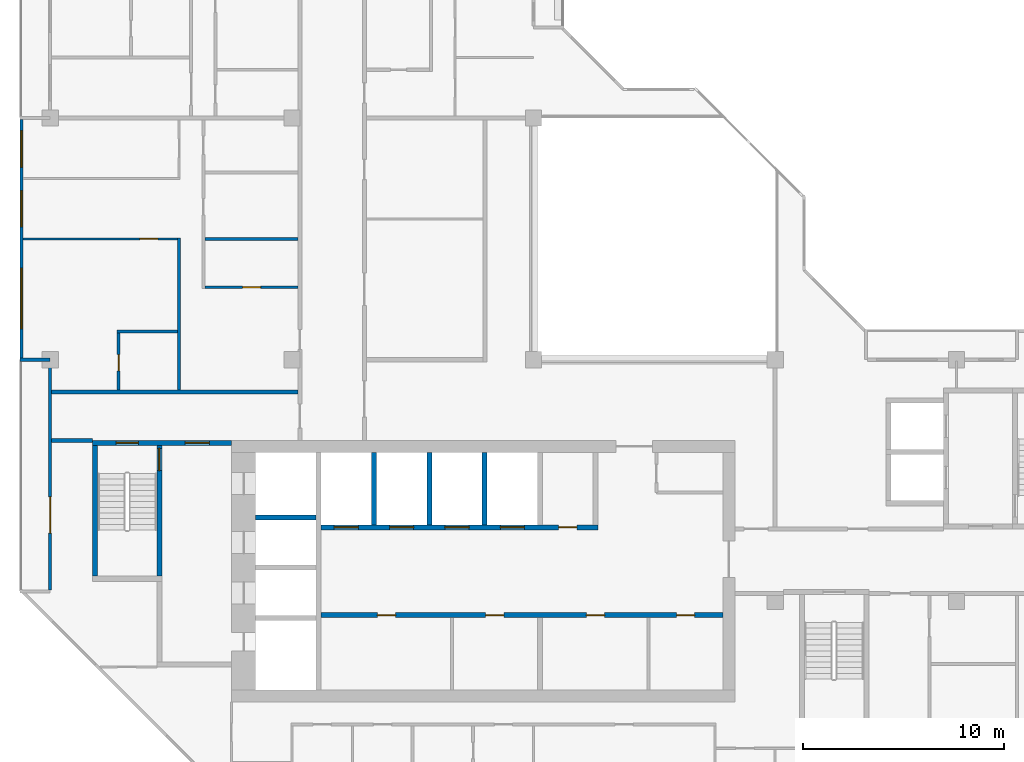
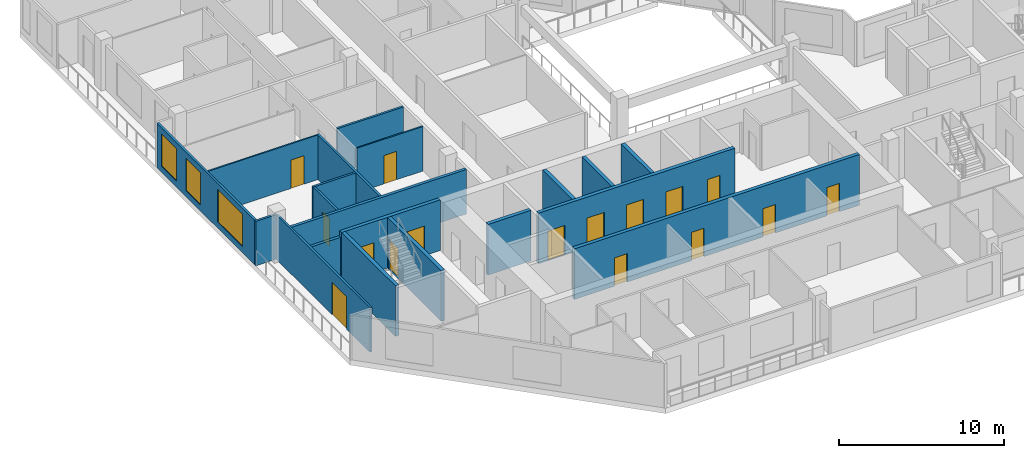
# One storey, part 5 of 13: 20 walls, 16 doors, 3 windows, 19 openings.
"""IFC4 building model written with IfcOpenShell, lengths in metres."""

import ifcopenshell
import ifcopenshell.guid

model = None  # the IFC model being written
_history = None  # IfcOwnerHistory: only IFC2X3 demands one
_inside = {}  # id of a spatial element -> (the spatial element, [elements in it])
_under = {}  # id of a project, library or spatial element -> (it, [spatial elements below it])
_declared = {}  # id of a project -> (the project, [libraries it declares])
_typed = {}  # id of a type object -> (the type object, [elements of that type])
_made_of = {}  # id of a material, layer set ... -> (it, [elements and type objects made of it])


def new_model(schema):
    """Start an empty IFC model of exactly this schema.

    Asked for "IFC4X3", IfcOpenShell would pick the latest addendum, in which some entities
    have other attributes; the version numbers below select the first issue.
    IFC2X3 requires an IfcOwnerHistory on every rooted entity: one is made here for all.
    """
    global model, _history
    if schema == "IFC4X3":
        model = ifcopenshell.file(schema_version=(4, 3, 0, 0))
    else:
        model = ifcopenshell.file(schema=schema)
    _inside.clear()
    _under.clear()
    _declared.clear()
    _typed.clear()
    _made_of.clear()
    _history = None
    if model.schema == "IFC2X3":
        org = make("IfcOrganization", Name="unknown")
        user = make(
            "IfcPersonAndOrganization",
            ThePerson=make("IfcPerson", FamilyName="unknown"),
            TheOrganization=org,
        )
        app = make(
            "IfcApplication",
            ApplicationDeveloper=org,
            Version="unknown",
            ApplicationFullName="unknown",
            ApplicationIdentifier="unknown",
        )
        _history = make(
            "IfcOwnerHistory",
            OwningUser=user,
            OwningApplication=app,
            ChangeAction="ADDED",
            CreationDate=0,
        )
    return model


def make(cls, **values):
    """One entity of the class cls with the attributes given. An attribute that is None is left unset."""
    return model.create_entity(
        cls, **{name: value for name, value in values.items() if value is not None}
    )


def rooted(cls, **values):
    """An entity with a GlobalId (a new one), such as an element, a storey or a relation."""
    return make(cls, GlobalId=ifcopenshell.guid.new(), OwnerHistory=_history, **values)


def si_unit(unit_type, name, prefix=None):
    """IfcSIUnit, for example si_unit("LENGTHUNIT", "METRE", prefix="MILLI")."""
    return make("IfcSIUnit", UnitType=unit_type, Prefix=prefix, Name=name)


def assignment(units):
    """IfcUnitAssignment: the units of a project."""
    return None if units is None else make("IfcUnitAssignment", Units=units)


def point(xyz):
    """IfcCartesianPoint."""
    return None if xyz is None else make("IfcCartesianPoint", Coordinates=xyz)


def direction(xyz):
    """IfcDirection."""
    return None if xyz is None else make("IfcDirection", DirectionRatios=xyz)


def frame(location, z_axis=None, x_axis=None):
    """IfcAxis2Placement3D, a coordinate frame: its origin and axes. An axis left out is left unset."""
    return make(
        "IfcAxis2Placement3D",
        Location=point(location),
        Axis=direction(z_axis),
        RefDirection=direction(x_axis),
    )


def frame_2d(location, x_axis=None):
    """IfcAxis2Placement2D, a coordinate frame in the plane: its origin and x axis."""
    return make(
        "IfcAxis2Placement2D", Location=point(location), RefDirection=direction(x_axis)
    )


def origin():
    """The frame at (0, 0, 0) with its axes left unset."""
    return frame((0.0, 0.0, 0.0))


def place(relative_to, where):
    """IfcLocalPlacement: puts the frame where relative to a parent placement (None: the world)."""
    return make(
        "IfcLocalPlacement", PlacementRelTo=relative_to, RelativePlacement=where
    )


def context(
    kind, dimensions, precision=None, world=None, true_north=None, identifier=None
):
    """IfcGeometricRepresentationContext, for example the 3D "Model" context."""
    return make(
        "IfcGeometricRepresentationContext",
        ContextIdentifier=identifier,
        ContextType=kind,
        CoordinateSpaceDimension=dimensions,
        Precision=precision,
        WorldCoordinateSystem=world,
        TrueNorth=true_north,
    )


def subcontext(parent, identifier, kind, view, scale=None):
    """IfcGeometricRepresentationSubContext, for example "Body" below "Model"."""
    return make(
        "IfcGeometricRepresentationSubContext",
        ContextIdentifier=identifier,
        ContextType=kind,
        ParentContext=parent,
        TargetScale=scale,
        TargetView=view,
    )


def project(units=None, contexts=None):
    """IfcProject with its units and contexts."""
    return rooted(
        "IfcProject",
        Name="project",
        RepresentationContexts=contexts,
        UnitsInContext=assignment(units),
    )


def spatial(cls, under=None, at=None, **own):
    """A site, building, storey or space (cls), placed at a placement, below another one or the project."""
    s = rooted(cls, ObjectPlacement=at, **own)
    if under is not None:
        _under.setdefault(under.id(), (under, []))[1].append(s)
    return s


def profile(cls, at=None, kind="AREA", **sizes):
    """A parametric profile (cls). Its sizes go by their IFC names, for example OverallWidth=200.0."""
    return make(cls, ProfileType=kind, Position=at, **sizes)


def rectangle(**sizes):
    """IfcRectangleProfileDef."""
    return profile("IfcRectangleProfileDef", **sizes)


def extrude(swept, where, along, depth):
    """IfcExtrudedAreaSolid: the profile swept, set in the frame where, extruded along a direction by depth."""
    return make(
        "IfcExtrudedAreaSolid",
        SweptArea=swept,
        Position=where,
        ExtrudedDirection=direction(along),
        Depth=depth,
    )


def shape(context_of_items, identifier, shape_type, items):
    """IfcShapeRepresentation: the items that make up one representation, for example the "Body"."""
    return make(
        "IfcShapeRepresentation",
        ContextOfItems=context_of_items,
        RepresentationIdentifier=identifier,
        RepresentationType=shape_type,
        Items=items,
    )


def material(Name=None, Category=None):
    """IfcMaterial."""
    return make("IfcMaterial", Name=Name, Category=Category)


def layer(
    of_material, thickness, ventilated=None, Name=None, Category=None, Priority=None
):
    """IfcMaterialLayer: one layer of a wall or slab, of a material (None: an air gap)."""
    return make(
        "IfcMaterialLayer",
        Material=of_material,
        LayerThickness=thickness,
        IsVentilated=ventilated,
        Name=Name,
        Category=Category,
        Priority=Priority,
    )


def layer_set(layers, Name=None):
    """IfcMaterialLayerSet."""
    return make("IfcMaterialLayerSet", MaterialLayers=layers, LayerSetName=Name)


def made_of(thing, what):
    """Note that an element or type object is made of a material, layer set ...; save() writes the relation."""
    if what is not None:
        _made_of.setdefault(what.id(), (what, []))[1].append(thing)
    return thing


def type_object(cls, material=None, **own):
    """A type object (cls), such as IfcWallType, which elements share."""
    return made_of(rooted(cls, **own), material)


def element(
    cls,
    number,
    at=None,
    inside=None,
    cuts=None,
    type_object=None,
    material=None,
    context=None,
    identifier="Body",
    shape_type=None,
    held_by="IfcProductDefinitionShape",
    body=None,
    shapes=None,
    **own,
):
    """One element of the class cls, such as IfcWall. Its Tag is "e" and its number.

    at: its placement. inside: the storey or other place that contains it. cuts: it is an
    opening in that element (IfcRelVoidsElement). A single representation is given by context,
    identifier, shape_type and body (its items); several are given by shapes. held_by: the class
    of the entity that holds the representations. save() writes the other relations.
    """
    e = rooted(cls, Tag="e%d" % number, ObjectPlacement=at, **own)
    if body is not None:
        shapes = [shape(context, identifier, shape_type, body)]
    if shapes is not None:
        e.Representation = make(held_by, Representations=shapes)
    if inside is not None:
        _inside.setdefault(inside.id(), (inside, []))[1].append(e)
    if cuts is not None:
        rooted(
            "IfcRelVoidsElement", RelatingBuildingElement=cuts, RelatedOpeningElement=e
        )
    if type_object is not None:
        _typed.setdefault(type_object.id(), (type_object, []))[1].append(e)
    return made_of(e, material)


def fill(opening, filler):
    """IfcRelFillsElement: the door or window that sits in an opening."""
    return rooted(
        "IfcRelFillsElement",
        RelatingOpeningElement=opening,
        RelatedBuildingElement=filler,
    )


def aggregate(whole, parts):
    """IfcRelAggregates: a whole, such as a stair, and the parts it consists of."""
    return rooted("IfcRelAggregates", RelatingObject=whole, RelatedObjects=parts)


def save(model, path):
    """Write the relations noted so far, then the file.

    IfcRelAggregates (storeys below a building ...), IfcRelContainedInSpatialStructure (elements
    in a storey), IfcRelDefinesByType, IfcRelAssociatesMaterial and IfcRelDeclares: one each for
    every whole, place, type object, material and project.
    """
    for whole, parts in _under.values():
        aggregate(whole, parts)
    for where, things in _inside.values():
        rooted(
            "IfcRelContainedInSpatialStructure",
            RelatedElements=things,
            RelatingStructure=where,
        )
    for kind, things in _typed.values():
        rooted("IfcRelDefinesByType", RelatedObjects=things, RelatingType=kind)
    for what, things in _made_of.values():
        rooted("IfcRelAssociatesMaterial", RelatedObjects=things, RelatingMaterial=what)
    for by, libraries in _declared.values():
        rooted("IfcRelDeclares", RelatingContext=by, RelatedDefinitions=libraries)
    model.write(path)


model = new_model("IFC4")

# Units and contexts
model_context = context("Model", 3, precision=1e-05, world=origin(), true_north=direction((0.0, 1.0)))
body_context = subcontext(model_context, "Body", "Model", "MODEL_VIEW")
ifc_project = project(units=[si_unit("LENGTHUNIT", "METRE"), si_unit("AREAUNIT", "SQUARE_METRE"), si_unit("VOLUMEUNIT", "CUBIC_METRE"), si_unit("PLANEANGLEUNIT", "RADIAN"), si_unit("MASSUNIT", "GRAM", prefix="KILO")], contexts=[model_context])

# Site, building, storey
site_placement = place(None, origin())
site = spatial("IfcSite", under=ifc_project, at=site_placement, CompositionType="ELEMENT")
building_placement = place(site_placement, origin())
building = spatial("IfcBuilding", under=site, at=building_placement, Name="Chenar Terraces", CompositionType="ELEMENT")
storey_placement = place(building_placement, frame((0.0, 0.0, 318.39990234375)))
storey = spatial("IfcBuildingStorey", under=building, at=storey_placement, Name="L75", CompositionType="ELEMENT", Elevation=318.39990234375)

# Wall, openings, doors
ifc_material_1 = material(Name="Concrete C50/60", Category="concrete")
ifc_layer_1 = layer(ifc_material_1, 0.25)
ifc_layer_set_1 = layer_set([ifc_layer_1], Name="Concrete C50/60")
wall_type_1 = type_object("IfcWallType", Name="Core wall 250 Concrete C50/60", PredefinedType="SHEAR", material=ifc_layer_set_1)
wall_1_placement = place(storey_placement, frame((13.449951171875, 11.324951171875, 0.0), z_axis=(0.0, 0.0, 1.0), x_axis=(1.0, 0.0, 0.0)))
wall_1 = element("IfcWall", 1, at=wall_1_placement, inside=storey, type_object=wall_type_1, Name="Core wall SF L75", PredefinedType="SHEAR", context=body_context, shape_type="SweptSolid", body=[
    extrude(rectangle(XDim=19.949951171875, YDim=0.25, at=frame_2d((9.97509765625, 0.0))), origin(), (0.0, 0.0, 1.0), 3.75),
])
opening_1_placement = place(wall_1_placement, frame((2.800048828125, 0.0, 0.0)))
opening_1 = element("IfcOpeningElement", 2, at=opening_1_placement, cuts=wall_1, Name="Opening DL75-C12", PredefinedType="OPENING", context=body_context, shape_type="SweptSolid", body=[
    extrude(rectangle(XDim=0.89990234375, YDim=2.10009765625, at=frame_2d((0.449951171875, 1.050048828125))), frame((0.0, 0.135009765625, 0.0), z_axis=(0.0, -1.0, 0.0), x_axis=(1.0, 0.0, 0.0)), (0.0, 0.0, 1.0), 0.27001953125),
])
opening_2_placement = place(wall_1_placement, frame((8.175048828125, 0.0, 0.0)))
opening_2 = element("IfcOpeningElement", 3, at=opening_2_placement, cuts=wall_1, Name="Opening DL75-C13", PredefinedType="OPENING", context=body_context, shape_type="SweptSolid", body=[
    extrude(rectangle(XDim=0.89990234375, YDim=2.10009765625, at=frame_2d((0.449951171875, 1.050048828125))), frame((0.0, 0.135009765625, 0.0), z_axis=(0.0, -1.0, 0.0), x_axis=(1.0, 0.0, 0.0)), (0.0, 0.0, 1.0), 0.27001953125),
])
opening_3_placement = place(wall_1_placement, frame((13.175048828125, 0.0, 0.0)))
opening_3 = element("IfcOpeningElement", 4, at=opening_3_placement, cuts=wall_1, Name="Opening DL75-C14", PredefinedType="OPENING", context=body_context, shape_type="SweptSolid", body=[
    extrude(rectangle(XDim=0.89990234375, YDim=2.10009765625, at=frame_2d((0.449951171875, 1.050048828125))), frame((0.0, 0.135009765625, 0.0), z_axis=(0.0, -1.0, 0.0), x_axis=(1.0, 0.0, 0.0)), (0.0, 0.0, 1.0), 0.27001953125),
])
opening_4_placement = place(wall_1_placement, frame((17.64990234375, 0.0, 0.0)))
opening_4 = element("IfcOpeningElement", 5, at=opening_4_placement, cuts=wall_1, Name="Opening DL75-C15", PredefinedType="OPENING", context=body_context, shape_type="SweptSolid", body=[
    extrude(rectangle(XDim=0.89990234375, YDim=2.10009765625, at=frame_2d((0.449951171875, 1.050048828125))), frame((0.0, 0.135009765625, 0.0), z_axis=(0.0, -1.0, 0.0), x_axis=(1.0, 0.0, 0.0)), (0.0, 0.0, 1.0), 0.27001953125),
])
ifc_material_2 = material(Name="Steel-framed fire-resisting door leaf", Category="steel")
door_type_1 = type_object("IfcDoorType", Name="Riser fire door FD60 900 x 2100", OperationType="SINGLE_SWING_LEFT", PredefinedType="DOOR", material=ifc_material_2)
door_1_placement = place(opening_1_placement, frame((0.89990234375, 0.0, 0.0), z_axis=(0.0, 0.0, 1.0), x_axis=(-1.0, 0.0, 0.0)))
door_1 = element("IfcDoor", 6, at=door_1_placement, inside=storey, type_object=door_type_1, Name="Core room door DL75-C12", OperationType="SINGLE_SWING_LEFT", OverallHeight=2.10009765625, OverallWidth=0.89990234375, PredefinedType="DOOR", context=body_context, shape_type="SweptSolid", body=[
    extrude(rectangle(XDim=0.89990234375, YDim=2.10009765625, at=frame_2d((0.449951171875, 1.050048828125))), frame((0.0, 0.02490234375, 0.0), z_axis=(0.0, -1.0, 0.0), x_axis=(1.0, 0.0, 0.0)), (0.0, 0.0, 1.0), 0.050048828125),
])
fill(opening_1, door_1)
door_2_placement = place(opening_2_placement, frame((0.89990234375, 0.0, 0.0), z_axis=(0.0, 0.0, 1.0), x_axis=(-1.0, 0.0, 0.0)))
door_2 = element("IfcDoor", 7, at=door_2_placement, inside=storey, type_object=door_type_1, Name="Core room door DL75-C13", OperationType="SINGLE_SWING_LEFT", OverallHeight=2.10009765625, OverallWidth=0.89990234375, PredefinedType="DOOR", context=body_context, shape_type="SweptSolid", body=[
    extrude(rectangle(XDim=0.89990234375, YDim=2.10009765625, at=frame_2d((0.449951171875, 1.050048828125))), frame((0.0, 0.02490234375, 0.0), z_axis=(0.0, -1.0, 0.0), x_axis=(1.0, 0.0, 0.0)), (0.0, 0.0, 1.0), 0.050048828125),
])
fill(opening_2, door_2)
door_3_placement = place(opening_3_placement, frame((0.89990234375, 0.0, 0.0), z_axis=(0.0, 0.0, 1.0), x_axis=(-1.0, 0.0, 0.0)))
door_3 = element("IfcDoor", 8, at=door_3_placement, inside=storey, type_object=door_type_1, Name="Core room door DL75-C14", OperationType="SINGLE_SWING_LEFT", OverallHeight=2.10009765625, OverallWidth=0.89990234375, PredefinedType="DOOR", context=body_context, shape_type="SweptSolid", body=[
    extrude(rectangle(XDim=0.89990234375, YDim=2.10009765625, at=frame_2d((0.449951171875, 1.050048828125))), frame((0.0, 0.02490234375, 0.0), z_axis=(0.0, -1.0, 0.0), x_axis=(1.0, 0.0, 0.0)), (0.0, 0.0, 1.0), 0.050048828125),
])
fill(opening_3, door_3)
door_4_placement = place(opening_4_placement, frame((0.89990234375, 0.0, 0.0), z_axis=(0.0, 0.0, 1.0), x_axis=(-1.0, 0.0, 0.0)))
door_4 = element("IfcDoor", 9, at=door_4_placement, inside=storey, type_object=door_type_1, Name="Core room door DL75-C15", OperationType="SINGLE_SWING_RIGHT", OverallHeight=2.10009765625, OverallWidth=0.89990234375, PredefinedType="DOOR", context=body_context, shape_type="SweptSolid", body=[
    extrude(rectangle(XDim=0.89990234375, YDim=2.10009765625, at=frame_2d((0.449951171875, 1.050048828125))), frame((0.0, 0.02490234375, 0.0), z_axis=(0.0, -1.0, 0.0), x_axis=(1.0, 0.0, 0.0)), (0.0, 0.0, 1.0), 0.050048828125),
])
fill(opening_4, door_4)

wall_2_placement = place(storey_placement, frame((13.449951171875, 15.675048828125, 0.0), z_axis=(0.0, 0.0, 1.0), x_axis=(1.0, 0.0, 0.0)))
wall_2 = element("IfcWall", 10, at=wall_2_placement, inside=storey, type_object=wall_type_1, Name="Core wall NF L75", PredefinedType="SHEAR", context=body_context, shape_type="SweptSolid", body=[
    extrude(rectangle(XDim=13.75, YDim=0.25, at=frame_2d((6.875, 0.0))), origin(), (0.0, 0.0, 1.0), 3.75),
])
opening_5_placement = place(wall_2_placement, frame((0.64990234375, 0.0, 0.0)))
opening_5 = element("IfcOpeningElement", 11, at=opening_5_placement, cuts=wall_2, Name="Opening DL75-LD1", PredefinedType="OPENING", context=body_context, shape_type="SweptSolid", body=[
    extrude(rectangle(XDim=1.199951171875, YDim=2.199951171875, at=frame_2d((0.60009765625, 1.10009765625))), frame((0.0, 0.135009765625, 0.0), z_axis=(0.0, -1.0, 0.0), x_axis=(1.0, 0.0, 0.0)), (0.0, 0.0, 1.0), 0.27001953125),
])
opening_6_placement = place(wall_2_placement, frame((3.39990234375, 0.0, 0.0)))
opening_6 = element("IfcOpeningElement", 12, at=opening_6_placement, cuts=wall_2, Name="Opening DL75-LD2", PredefinedType="OPENING", context=body_context, shape_type="SweptSolid", body=[
    extrude(rectangle(XDim=1.199951171875, YDim=2.199951171875, at=frame_2d((0.60009765625, 1.10009765625))), frame((0.0, 0.135009765625, 0.0), z_axis=(0.0, -1.0, 0.0), x_axis=(1.0, 0.0, 0.0)), (0.0, 0.0, 1.0), 0.27001953125),
])
opening_7_placement = place(wall_2_placement, frame((6.14990234375, 0.0, 0.0)))
opening_7 = element("IfcOpeningElement", 13, at=opening_7_placement, cuts=wall_2, Name="Opening DL75-LD3", PredefinedType="OPENING", context=body_context, shape_type="SweptSolid", body=[
    extrude(rectangle(XDim=1.199951171875, YDim=2.199951171875, at=frame_2d((0.60009765625, 1.10009765625))), frame((0.0, 0.135009765625, 0.0), z_axis=(0.0, -1.0, 0.0), x_axis=(1.0, 0.0, 0.0)), (0.0, 0.0, 1.0), 0.27001953125),
])
opening_8_placement = place(wall_2_placement, frame((8.89990234375, 0.0, 0.0)))
opening_8 = element("IfcOpeningElement", 14, at=opening_8_placement, cuts=wall_2, Name="Opening DL75-LD4", PredefinedType="OPENING", context=body_context, shape_type="SweptSolid", body=[
    extrude(rectangle(XDim=1.199951171875, YDim=2.199951171875, at=frame_2d((0.60009765625, 1.10009765625))), frame((0.0, 0.135009765625, 0.0), z_axis=(0.0, -1.0, 0.0), x_axis=(1.0, 0.0, 0.0)), (0.0, 0.0, 1.0), 0.27001953125),
])
opening_9_placement = place(wall_2_placement, frame((11.800048828125, 0.0, 0.0)))
opening_9 = element("IfcOpeningElement", 15, at=opening_9_placement, cuts=wall_2, Name="Opening DL75-C16", PredefinedType="OPENING", context=body_context, shape_type="SweptSolid", body=[
    extrude(rectangle(XDim=0.89990234375, YDim=2.10009765625, at=frame_2d((0.449951171875, 1.050048828125))), frame((0.0, 0.135009765625, 0.0), z_axis=(0.0, -1.0, 0.0), x_axis=(1.0, 0.0, 0.0)), (0.0, 0.0, 1.0), 0.27001953125),
])
ifc_material_3 = material(Name="Stainless steel", Category="steel")
door_type_2 = type_object("IfcDoorType", Name="Lift landing door 1200 x 2200 sliding", OperationType="DOUBLE_DOOR_SLIDING", PredefinedType="DOOR", material=ifc_material_3)
door_5_placement = place(opening_5_placement, origin())
door_5 = element("IfcDoor", 16, at=door_5_placement, inside=storey, type_object=door_type_2, Name="Landing door H1", OperationType="DOUBLE_DOOR_SLIDING", OverallHeight=2.199951171875, OverallWidth=1.199951171875, PredefinedType="DOOR", context=body_context, shape_type="SweptSolid", body=[
    extrude(rectangle(XDim=1.199951171875, YDim=2.199951171875, at=frame_2d((0.60009765625, 1.10009765625))), frame((0.0, 0.02490234375, 0.0), z_axis=(0.0, -1.0, 0.0), x_axis=(1.0, 0.0, 0.0)), (0.0, 0.0, 1.0), 0.050048828125),
])
fill(opening_5, door_5)
door_6_placement = place(opening_6_placement, origin())
door_6 = element("IfcDoor", 17, at=door_6_placement, inside=storey, type_object=door_type_2, Name="Landing door H2", OperationType="DOUBLE_DOOR_SLIDING", OverallHeight=2.199951171875, OverallWidth=1.199951171875, PredefinedType="DOOR", context=body_context, shape_type="SweptSolid", body=[
    extrude(rectangle(XDim=1.199951171875, YDim=2.199951171875, at=frame_2d((0.60009765625, 1.10009765625))), frame((0.0, 0.02490234375, 0.0), z_axis=(0.0, -1.0, 0.0), x_axis=(1.0, 0.0, 0.0)), (0.0, 0.0, 1.0), 0.050048828125),
])
fill(opening_6, door_6)
door_7_placement = place(opening_7_placement, origin())
door_7 = element("IfcDoor", 18, at=door_7_placement, inside=storey, type_object=door_type_2, Name="Landing door H3", OperationType="DOUBLE_DOOR_SLIDING", OverallHeight=2.199951171875, OverallWidth=1.199951171875, PredefinedType="DOOR", context=body_context, shape_type="SweptSolid", body=[
    extrude(rectangle(XDim=1.199951171875, YDim=2.199951171875, at=frame_2d((0.60009765625, 1.10009765625))), frame((0.0, 0.02490234375, 0.0), z_axis=(0.0, -1.0, 0.0), x_axis=(1.0, 0.0, 0.0)), (0.0, 0.0, 1.0), 0.050048828125),
])
fill(opening_7, door_7)
door_8_placement = place(opening_8_placement, origin())
door_8 = element("IfcDoor", 19, at=door_8_placement, inside=storey, type_object=door_type_2, Name="Landing door H4", OperationType="DOUBLE_DOOR_SLIDING", OverallHeight=2.199951171875, OverallWidth=1.199951171875, PredefinedType="DOOR", context=body_context, shape_type="SweptSolid", body=[
    extrude(rectangle(XDim=1.199951171875, YDim=2.199951171875, at=frame_2d((0.60009765625, 1.10009765625))), frame((0.0, 0.02490234375, 0.0), z_axis=(0.0, -1.0, 0.0), x_axis=(1.0, 0.0, 0.0)), (0.0, 0.0, 1.0), 0.050048828125),
])
fill(opening_8, door_8)
door_9_placement = place(opening_9_placement, origin())
door_9 = element("IfcDoor", 20, at=door_9_placement, inside=storey, type_object=door_type_1, Name="Core room door DL75-C16", OperationType="SINGLE_SWING_RIGHT", OverallHeight=2.10009765625, OverallWidth=0.89990234375, PredefinedType="DOOR", context=body_context, shape_type="SweptSolid", body=[
    extrude(rectangle(XDim=0.89990234375, YDim=2.10009765625, at=frame_2d((0.449951171875, 1.050048828125))), frame((0.0, 0.02490234375, 0.0), z_axis=(0.0, -1.0, 0.0), x_axis=(1.0, 0.0, 0.0)), (0.0, 0.0, 1.0), 0.050048828125),
])
fill(opening_9, door_9)

# Walls
wall_3_placement = place(storey_placement, frame((10.199951171875, 16.175048828125, 0.0), z_axis=(0.0, 0.0, 1.0), x_axis=(1.0, 0.0, 0.0)))
element("IfcWall", 21, at=wall_3_placement, inside=storey, type_object=wall_type_1, Name="Core wall HW2 L75", PredefinedType="SHEAR", context=body_context, shape_type="SweptSolid", body=[
    extrude(rectangle(XDim=3.0, YDim=0.25, at=frame_2d((1.5, 0.0))), origin(), (0.0, 0.0, 1.0), 3.75),
])
for number, where, z_axis, x_axis, name in (
    (22, (16.074951171875, 15.800048828125, 0.0), (0.0, 0.0, 1.0), (0.0, 1.0, 0.0), "Core wall NS0 L75"),
    (23, (18.824951171875, 15.800048828125, 0.0), (0.0, 0.0, 1.0), (0.0, 1.0, 0.0), "Core wall NS1 L75"),
    (24, (21.574951171875, 15.800048828125, 0.0), (0.0, 0.0, 1.0), (0.0, 1.0, 0.0), "Core wall NS2 L75"),
):
    element("IfcWall", number, at=place(storey_placement, frame(where, z_axis=z_axis, x_axis=x_axis)), inside=storey, type_object=wall_type_1, Name=name, PredefinedType="SHEAR", context=body_context, shape_type="SweptSolid", body=[
        extrude(rectangle(XDim=3.599853515625, YDim=0.25, at=frame_2d((1.7998046875, 0.0))), origin(), (0.0, 0.0, 1.0), 3.75),
    ])

# Wall, openings, doors
wall_4_placement = place(storey_placement, frame((2.10009765625, 19.875, 0.0), z_axis=(0.0, 0.0, 1.0), x_axis=(1.0, 0.0, 0.0)))
wall_4 = element("IfcWall", 25, at=wall_4_placement, inside=storey, type_object=wall_type_1, Name="Core wall A_N L75", PredefinedType="SHEAR", context=body_context, shape_type="SweptSolid", body=[
    extrude(rectangle(XDim=6.89990234375, YDim=0.25, at=frame_2d((3.449951171875, 0.0))), origin(), (0.0, 0.0, 1.0), 3.75),
])
opening_10_placement = place(wall_4_placement, frame((1.175048828125, 0.0, 0.0)))
opening_10 = element("IfcOpeningElement", 26, at=opening_10_placement, cuts=wall_4, Name="Opening DL75-C5", PredefinedType="OPENING", context=body_context, shape_type="SweptSolid", body=[
    extrude(rectangle(XDim=1.10009765625, YDim=2.199951171875, at=frame_2d((0.550048828125, 1.10009765625))), frame((0.0, 0.135009765625, 0.0), z_axis=(0.0, -1.0, 0.0), x_axis=(1.0, 0.0, 0.0)), (0.0, 0.0, 1.0), 0.27001953125),
])
opening_11_placement = place(wall_4_placement, frame((4.60009765625, 0.0, 0.0)))
opening_11 = element("IfcOpeningElement", 27, at=opening_11_placement, cuts=wall_4, Name="Opening DL75-C6", PredefinedType="OPENING", context=body_context, shape_type="SweptSolid", body=[
    extrude(rectangle(XDim=1.199951171875, YDim=2.199951171875, at=frame_2d((0.60009765625, 1.10009765625))), frame((0.0, 0.135009765625, 0.0), z_axis=(0.0, -1.0, 0.0), x_axis=(1.0, 0.0, 0.0)), (0.0, 0.0, 1.0), 0.27001953125),
])
ifc_material_4 = material(Name="Steel-framed fire-resisting door leaf", Category="steel")
door_type_3 = type_object("IfcDoorType", Name="Lobby fire door FD60 1200 x 2200", OperationType="SINGLE_SWING_LEFT", PredefinedType="DOOR", material=ifc_material_4)
door_10_placement = place(opening_11_placement, frame((1.199951171875, 0.0, 0.0), z_axis=(0.0, 0.0, 1.0), x_axis=(-1.0, 0.0, 0.0)))
door_10 = element("IfcDoor", 28, at=door_10_placement, inside=storey, type_object=door_type_3, Name="Core door DL75-C6", OperationType="SINGLE_SWING_LEFT", OverallHeight=2.199951171875, OverallWidth=1.199951171875, PredefinedType="DOOR", context=body_context, shape_type="SweptSolid", body=[
    extrude(rectangle(XDim=1.199951171875, YDim=2.199951171875, at=frame_2d((0.60009765625, 1.10009765625))), frame((0.0, 0.02490234375, 0.0), z_axis=(0.0, -1.0, 0.0), x_axis=(1.0, 0.0, 0.0)), (0.0, 0.0, 1.0), 0.050048828125),
])
fill(opening_11, door_10)
ifc_material_5 = material(Name="Steel-framed fire-resisting door leaf", Category="steel")
door_type_4 = type_object("IfcDoorType", Name="Stair fire door FD60 1100 x 2200", OperationType="SINGLE_SWING_LEFT", PredefinedType="DOOR", material=ifc_material_5)
door_11_placement = place(opening_10_placement, origin())
door_11 = element("IfcDoor", 29, at=door_11_placement, inside=storey, type_object=door_type_4, Name="Stair door DL75-C5", OperationType="SINGLE_SWING_LEFT", OverallHeight=2.199951171875, OverallWidth=1.10009765625, PredefinedType="DOOR", context=body_context, shape_type="SweptSolid", body=[
    extrude(rectangle(XDim=1.10009765625, YDim=2.199951171875, at=frame_2d((0.550048828125, 1.10009765625))), frame((0.0, 0.02490234375, 0.0), z_axis=(0.0, -1.0, 0.0), x_axis=(1.0, 0.0, 0.0)), (0.0, 0.0, 1.0), 0.050048828125),
])
fill(opening_10, door_11)

# Wall
wall_5_placement = place(storey_placement, frame((2.22509765625, 13.25, 0.0), z_axis=(0.0, 0.0, 1.0), x_axis=(0.0, 1.0, 0.0)))
element("IfcWall", 30, at=wall_5_placement, inside=storey, type_object=wall_type_1, Name="Core wall ST1_W L75", PredefinedType="SHEAR", context=body_context, shape_type="SweptSolid", body=[
    extrude(rectangle(XDim=6.5, YDim=0.25, at=frame_2d((3.25, 0.0))), origin(), (0.0, 0.0, 1.0), 3.75),
])

# Wall, opening, door
wall_6_placement = place(storey_placement, frame((5.425048828125, 13.25, 0.0), z_axis=(0.0, 0.0, 1.0), x_axis=(0.0, 1.0, 0.0)))
wall_6 = element("IfcWall", 31, at=wall_6_placement, inside=storey, type_object=wall_type_1, Name="Core wall ST1_E L75", PredefinedType="SHEAR", context=body_context, shape_type="SweptSolid", body=[
    extrude(rectangle(XDim=6.5, YDim=0.25, at=frame_2d((3.25, 0.0))), origin(), (0.0, 0.0, 1.0), 3.75),
])
opening_12_placement = place(wall_6_placement, frame((5.25, 0.0, 0.0)))
opening_12 = element("IfcOpeningElement", 32, at=opening_12_placement, cuts=wall_6, Name="Opening DL75-C3", PredefinedType="OPENING", context=body_context, shape_type="SweptSolid", body=[
    extrude(rectangle(XDim=1.10009765625, YDim=2.199951171875, at=frame_2d((0.550048828125, 1.10009765625))), frame((0.0, 0.135009765625, 0.0), z_axis=(0.0, -1.0, 0.0), x_axis=(1.0, 0.0, 0.0)), (0.0, 0.0, 1.0), 0.27001953125),
])
door_12_placement = place(opening_12_placement, origin())
door_12 = element("IfcDoor", 33, at=door_12_placement, inside=storey, type_object=door_type_4, Name="Stair door DL75-C3", OperationType="SINGLE_SWING_RIGHT", OverallHeight=2.199951171875, OverallWidth=1.10009765625, PredefinedType="DOOR", context=body_context, shape_type="SweptSolid", body=[
    extrude(rectangle(XDim=1.10009765625, YDim=2.199951171875, at=frame_2d((0.550048828125, 1.10009765625))), frame((0.0, 0.02490234375, 0.0), z_axis=(0.0, -1.0, 0.0), x_axis=(1.0, 0.0, 0.0)), (0.0, 0.0, 1.0), 0.050048828125),
])
fill(opening_12, door_12)

# Walls
ifc_material_6 = material(Name="Gypsum board on steel studs with fire boards", Category="steel")
ifc_layer_2 = layer(ifc_material_6, 0.199951171875)
ifc_layer_set_2 = layer_set([ifc_layer_2], Name="Gypsum board on steel studs with fire boards")
wall_type_2 = type_object("IfcWallType", Name="Corridor wall 200", PredefinedType="PARTITIONING", material=ifc_layer_set_2)
wall_7_placement = place(storey_placement, frame((0.073974609375, 20.0, 0.0), z_axis=(0.0, 0.0, 1.0), x_axis=(1.0, 0.0, 0.0)))
element("IfcWall", 34, at=wall_7_placement, inside=storey, type_object=wall_type_2, Name="Partition L75-006", PredefinedType="PARTITIONING", context=body_context, shape_type="SweptSolid", body=[
    extrude(rectangle(XDim=2.026123046875, YDim=0.199951171875, at=frame_2d((1.01318359375, 0.0))), origin(), (0.0, 0.0, 1.0), 3.300048828125),
])
wall_8_placement = place(storey_placement, frame((0.073974609375, 22.39990234375, 0.0), z_axis=(0.0, 0.0, 1.0), x_axis=(1.0, 0.0, 0.0)))
element("IfcWall", 35, at=wall_8_placement, inside=storey, type_object=wall_type_2, Name="Partition L75-007", PredefinedType="PARTITIONING", context=body_context, shape_type="SweptSolid", body=[
    extrude(rectangle(XDim=12.22607421875, YDim=0.199951171875, at=frame_2d((6.113037109375, 0.0))), origin(), (0.0, 0.0, 1.0), 3.300048828125),
])

# Wall, openings, windows
ifc_material_7 = material(Name="Aluminium framed glazing", Category="aluminium")
ifc_layer_3 = layer(ifc_material_7, 0.14990234375)
ifc_layer_set_3 = layer_set([ifc_layer_3], Name="Aluminium framed glazing")
wall_type_3 = type_object("IfcWallType", Name="Glazed flush facade wall 150", PredefinedType="SOLIDWALL", material=ifc_layer_set_3)
wall_9_placement = place(storey_placement, frame((-1.425048828125, 35.925048828125, 0.0), z_axis=(0.0, 0.0, 1.0), x_axis=(0.0, -1.0, 0.0)))
wall_9 = element("IfcWall", 36, at=wall_9_placement, inside=storey, type_object=wall_type_3, Name="Glazed flush facade wall", PredefinedType="SOLIDWALL", context=body_context, shape_type="SweptSolid", body=[
    extrude(rectangle(XDim=11.85009765625, YDim=0.14990234375, at=frame_2d((5.925048828125, 0.0))), origin(), (0.0, 0.0, 1.0), 3.300048828125),
])
opening_13_placement = place(wall_9_placement, frame((0.5625, 0.0, 0.449951171875)))
opening_13 = element("IfcOpeningElement", 37, at=opening_13_placement, cuts=wall_9, Name="Opening W180x240", PredefinedType="OPENING", context=body_context, shape_type="SweptSolid", body=[
    extrude(rectangle(XDim=1.800048828125, YDim=2.39990234375, at=frame_2d((0.89990234375, 1.199951171875))), frame((0.0, 0.0849609375, 0.0), z_axis=(0.0, -1.0, 0.0), x_axis=(1.0, 0.0, 0.0)), (0.0, 0.0, 1.0), 0.169921875),
])
opening_14_placement = place(wall_9_placement, frame((3.52490234375, 0.0, 0.449951171875)))
opening_14 = element("IfcOpeningElement", 38, at=opening_14_placement, cuts=wall_9, Name="Opening W180x240", PredefinedType="OPENING", context=body_context, shape_type="SweptSolid", body=[
    extrude(rectangle(XDim=1.800048828125, YDim=2.39990234375, at=frame_2d((0.89990234375, 1.199951171875))), frame((0.0, 0.0849609375, 0.0), z_axis=(0.0, -1.0, 0.0), x_axis=(1.0, 0.0, 0.0)), (0.0, 0.0, 1.0), 0.169921875),
])
opening_15_placement = place(wall_9_placement, frame((7.387451171875, 0.0, 0.449951171875)))
opening_15 = element("IfcOpeningElement", 39, at=opening_15_placement, cuts=wall_9, Name="Opening W300x240", PredefinedType="OPENING", context=body_context, shape_type="SweptSolid", body=[
    extrude(rectangle(XDim=3.0, YDim=2.39990234375, at=frame_2d((1.5, 1.199951171875))), frame((0.0, 0.0849609375, 0.0), z_axis=(0.0, -1.0, 0.0), x_axis=(1.0, 0.0, 0.0)), (0.0, 0.0, 1.0), 0.169921875),
])
ifc_material_8 = material(Name="Low emissivity double glazing, aluminium frame", Category="aluminium")
window_type_1 = type_object("IfcWindowType", Name="Fixed light 1800 x 2400", PartitioningType="SINGLE_PANEL", PredefinedType="WINDOW", material=ifc_material_8)
window_1_placement = place(opening_13_placement, origin())
window_1 = element("IfcWindow", 40, at=window_1_placement, inside=storey, type_object=window_type_1, Name="Window", OverallHeight=2.39990234375, OverallWidth=1.800048828125, PartitioningType="SINGLE_PANEL", PredefinedType="WINDOW", context=body_context, shape_type="SweptSolid", body=[
    extrude(rectangle(XDim=1.800048828125, YDim=2.39990234375, at=frame_2d((0.89990234375, 1.199951171875))), frame((0.0, 0.030029296875, 0.0), z_axis=(0.0, -1.0, 0.0), x_axis=(1.0, 0.0, 0.0)), (0.0, 0.0, 1.0), 0.06005859375),
])
fill(opening_13, window_1)
window_2_placement = place(opening_14_placement, origin())
window_2 = element("IfcWindow", 41, at=window_2_placement, inside=storey, type_object=window_type_1, Name="Window", OverallHeight=2.39990234375, OverallWidth=1.800048828125, PartitioningType="SINGLE_PANEL", PredefinedType="WINDOW", context=body_context, shape_type="SweptSolid", body=[
    extrude(rectangle(XDim=1.800048828125, YDim=2.39990234375, at=frame_2d((0.89990234375, 1.199951171875))), frame((0.0, 0.030029296875, 0.0), z_axis=(0.0, -1.0, 0.0), x_axis=(1.0, 0.0, 0.0)), (0.0, 0.0, 1.0), 0.06005859375),
])
fill(opening_14, window_2)
ifc_material_9 = material(Name="Low emissivity double glazing, aluminium frame", Category="aluminium")
window_type_2 = type_object("IfcWindowType", Name="Fixed light 3000 x 2400", PartitioningType="SINGLE_PANEL", PredefinedType="WINDOW", material=ifc_material_9)
window_3_placement = place(opening_15_placement, origin())
window_3 = element("IfcWindow", 42, at=window_3_placement, inside=storey, type_object=window_type_2, Name="Window", OverallHeight=2.39990234375, OverallWidth=3.0, PartitioningType="SINGLE_PANEL", PredefinedType="WINDOW", context=body_context, shape_type="SweptSolid", body=[
    extrude(rectangle(XDim=3.0, YDim=2.39990234375, at=frame_2d((1.5, 1.199951171875))), frame((0.0, 0.030029296875, 0.0), z_axis=(0.0, -1.0, 0.0), x_axis=(1.0, 0.0, 0.0)), (0.0, 0.0, 1.0), 0.06005859375),
])
fill(opening_15, window_3)

# Wall, opening, door
ifc_material_10 = material(Name="Aluminium framed glazing", Category="aluminium")
ifc_layer_4 = layer(ifc_material_10, 0.14990234375)
ifc_layer_set_4 = layer_set([ifc_layer_4], Name="Aluminium framed glazing")
wall_type_4 = type_object("IfcWallType", Name="Glazed loggia back wall 150", PredefinedType="SOLIDWALL", material=ifc_layer_set_4)
wall_10_placement = place(storey_placement, frame((0.0, 23.925048828125, 0.0), z_axis=(0.0, 0.0, 1.0), x_axis=(0.0, -1.0, 0.0)))
wall_10 = element("IfcWall", 43, at=wall_10_placement, inside=storey, type_object=wall_type_4, Name="Glazed loggia back wall", PredefinedType="SOLIDWALL", context=body_context, shape_type="SweptSolid", body=[
    extrude(rectangle(XDim=11.35009765625, YDim=0.14990234375, at=frame_2d((5.675048828125, 0.0))), origin(), (0.0, 0.0, 1.0), 3.300048828125),
])
opening_16_placement = place(wall_10_placement, frame((6.737548828125, 0.0, 0.0)))
opening_16 = element("IfcOpeningElement", 44, at=opening_16_placement, cuts=wall_10, Name="Opening DL75-G3", PredefinedType="OPENING", context=body_context, shape_type="SweptSolid", body=[
    extrude(rectangle(XDim=1.800048828125, YDim=2.39990234375, at=frame_2d((0.89990234375, 1.199951171875))), frame((0.0, 0.0849609375, 0.0), z_axis=(0.0, -1.0, 0.0), x_axis=(1.0, 0.0, 0.0)), (0.0, 0.0, 1.0), 0.169921875),
])
ifc_material_11 = material(Name="Low emissivity double glazing, aluminium frame", Category="aluminium")
door_type_5 = type_object("IfcDoorType", Name="Loggia glazed double door 1800 x 2400", OperationType="DOUBLE_DOOR_SINGLE_SWING", PredefinedType="DOOR", material=ifc_material_11)
door_13_placement = place(opening_16_placement, frame((1.800048828125, 0.0, 0.0), z_axis=(0.0, 0.0, 1.0), x_axis=(-1.0, 0.0, 0.0)))
door_13 = element("IfcDoor", 45, at=door_13_placement, inside=storey, type_object=door_type_5, Name="Loggia glazed door", OperationType="DOUBLE_DOOR_SINGLE_SWING", OverallHeight=2.39990234375, OverallWidth=1.800048828125, PredefinedType="DOOR", context=body_context, shape_type="SweptSolid", body=[
    extrude(rectangle(XDim=1.800048828125, YDim=2.39990234375, at=frame_2d((0.89990234375, 1.199951171875))), frame((0.0, 0.02490234375, 0.0), z_axis=(0.0, -1.0, 0.0), x_axis=(1.0, 0.0, 0.0)), (0.0, 0.0, 1.0), 0.050048828125),
])
fill(opening_16, door_13)

ifc_material_12 = material(Name="Gypsum board on steel studs", Category="steel")
ifc_layer_5 = layer(ifc_material_12, 0.10009765625)
ifc_layer_set_5 = layer_set([ifc_layer_5], Name="Gypsum board on steel studs")
wall_type_5 = type_object("IfcWallType", Name="Gypsum partition 100", PredefinedType="PARTITIONING", material=ifc_layer_set_5)
wall_11_placement = place(storey_placement, frame((-1.35009765625, 30.0, 0.0), z_axis=(0.0, 0.0, 1.0), x_axis=(1.0, 0.0, 0.0)))
wall_11 = element("IfcWall", 46, at=wall_11_placement, inside=storey, type_object=wall_type_5, Name="Partition L75-002", PredefinedType="PARTITIONING", context=body_context, shape_type="SweptSolid", body=[
    extrude(rectangle(XDim=7.675048828125, YDim=0.10009765625, at=frame_2d((3.83740234375, 0.0))), origin(), (0.0, 0.0, 1.0), 3.300048828125),
])
opening_17_placement = place(wall_11_placement, frame((5.800048828125, 0.0, 0.0)))
opening_17 = element("IfcOpeningElement", 47, at=opening_17_placement, cuts=wall_11, Name="Opening DL75-52", PredefinedType="OPENING", context=body_context, shape_type="SweptSolid", body=[
    extrude(rectangle(XDim=0.89990234375, YDim=2.10009765625, at=frame_2d((0.449951171875, 1.050048828125))), frame((0.0, 0.06005859375, 0.0), z_axis=(0.0, -1.0, 0.0), x_axis=(1.0, 0.0, 0.0)), (0.0, 0.0, 1.0), 0.1201171875),
])
ifc_material_13 = material(Name="Veneered timber door leaf", Category="wood")
door_type_6 = type_object("IfcDoorType", Name="Door 900 x 2100", OperationType="SINGLE_SWING_LEFT", PredefinedType="DOOR", material=ifc_material_13)
door_14_placement = place(opening_17_placement, frame((0.89990234375, 0.0, 0.0), z_axis=(0.0, 0.0, 1.0), x_axis=(-1.0, 0.0, 0.0)))
door_14 = element("IfcDoor", 48, at=door_14_placement, inside=storey, type_object=door_type_6, Name="Door DL75-52", OperationType="SINGLE_SWING_LEFT", OverallHeight=2.10009765625, OverallWidth=0.89990234375, PredefinedType="DOOR", context=body_context, shape_type="SweptSolid", body=[
    extrude(rectangle(XDim=0.89990234375, YDim=2.10009765625, at=frame_2d((0.449951171875, 1.050048828125))), frame((0.0, 0.02490234375, 0.0), z_axis=(0.0, -1.0, 0.0), x_axis=(1.0, 0.0, 0.0)), (0.0, 0.0, 1.0), 0.050048828125),
])
fill(opening_17, door_14)

wall_12_placement = place(storey_placement, frame((7.675048828125, 27.60009765625, 0.0), z_axis=(0.0, 0.0, 1.0), x_axis=(1.0, 0.0, 0.0)))
wall_12 = element("IfcWall", 49, at=wall_12_placement, inside=storey, type_object=wall_type_5, Name="Partition L75-022", PredefinedType="PARTITIONING", context=body_context, shape_type="SweptSolid", body=[
    extrude(rectangle(XDim=4.625, YDim=0.10009765625, at=frame_2d((2.3125, 0.0))), origin(), (0.0, 0.0, 1.0), 3.300048828125),
])
opening_18_placement = place(wall_12_placement, frame((1.875, 0.0, 0.0)))
opening_18 = element("IfcOpeningElement", 50, at=opening_18_placement, cuts=wall_12, Name="Opening DL75-54", PredefinedType="OPENING", context=body_context, shape_type="SweptSolid", body=[
    extrude(rectangle(XDim=0.89990234375, YDim=2.10009765625, at=frame_2d((0.449951171875, 1.050048828125))), frame((0.0, 0.06005859375, 0.0), z_axis=(0.0, -1.0, 0.0), x_axis=(1.0, 0.0, 0.0)), (0.0, 0.0, 1.0), 0.1201171875),
])
door_15_placement = place(opening_18_placement, origin())
door_15 = element("IfcDoor", 51, at=door_15_placement, inside=storey, type_object=door_type_6, Name="Door DL75-54", OperationType="SINGLE_SWING_LEFT", OverallHeight=2.10009765625, OverallWidth=0.89990234375, PredefinedType="DOOR", context=body_context, shape_type="SweptSolid", body=[
    extrude(rectangle(XDim=0.89990234375, YDim=2.10009765625, at=frame_2d((0.449951171875, 1.050048828125))), frame((0.0, 0.02490234375, 0.0), z_axis=(0.0, -1.0, 0.0), x_axis=(1.0, 0.0, 0.0)), (0.0, 0.0, 1.0), 0.050048828125),
])
fill(opening_18, door_15)

# Walls
ifc_material_14 = material(Name="Terracotta cladding on insulated backing", Category="masonry")
ifc_layer_6 = layer(ifc_material_14, 0.14990234375)
ifc_layer_set_6 = layer_set([ifc_layer_6], Name="Terracotta cladding on insulated backing")
wall_type_6 = type_object("IfcWallType", Name="Loggia return wall 150", PredefinedType="SOLIDWALL", material=ifc_layer_set_6)
wall_13_placement = place(storey_placement, frame((-1.5, 24.0, 0.0), z_axis=(0.0, 0.0, 1.0), x_axis=(1.0, 0.0, 0.0)))
element("IfcWall", 52, at=wall_13_placement, inside=storey, type_object=wall_type_6, Name="Loggia return wall", PredefinedType="SOLIDWALL", context=body_context, shape_type="SweptSolid", body=[
    extrude(rectangle(XDim=1.5, YDim=0.14990234375, at=frame_2d((0.75, 0.0))), origin(), (0.0, 0.0, 1.0), 3.300048828125),
])
ifc_material_15 = material(Name="Moisture-resistant gypsum board on steel studs", Category="steel")
ifc_layer_7 = layer(ifc_material_15, 0.14990234375)
ifc_layer_set_7 = layer_set([ifc_layer_7], Name="Moisture-resistant gypsum board on steel studs")
wall_type_7 = type_object("IfcWallType", Name="Wet-room partition 150", PredefinedType="PARTITIONING", material=ifc_layer_set_7)
wall_14_placement = place(storey_placement, frame((3.324951171875, 25.39990234375, 0.0), z_axis=(0.0, 0.0, 1.0), x_axis=(1.0, 0.0, 0.0)))
element("IfcWall", 53, at=wall_14_placement, inside=storey, type_object=wall_type_7, Name="Partition L75-011", PredefinedType="PARTITIONING", context=body_context, shape_type="SweptSolid", body=[
    extrude(rectangle(XDim=3.0, YDim=0.14990234375, at=frame_2d((1.5, 0.0))), origin(), (0.0, 0.0, 1.0), 3.300048828125),
])

# Wall, opening, door
wall_15_placement = place(storey_placement, frame((3.39990234375, 22.5, 0.0), z_axis=(0.0, 0.0, 1.0), x_axis=(0.0, 1.0, 0.0)))
wall_15 = element("IfcWall", 54, at=wall_15_placement, inside=storey, type_object=wall_type_7, Name="Partition L75-012", PredefinedType="PARTITIONING", context=body_context, shape_type="SweptSolid", body=[
    extrude(rectangle(XDim=2.824951171875, YDim=0.14990234375, at=frame_2d((1.41259765625, 0.0))), origin(), (0.0, 0.0, 1.0), 3.300048828125),
])
opening_19_placement = place(wall_15_placement, frame((0.949951171875, 0.0, 0.0)))
opening_19 = element("IfcOpeningElement", 55, at=opening_19_placement, cuts=wall_15, Name="Opening DL75-53", PredefinedType="OPENING", context=body_context, shape_type="SweptSolid", body=[
    extrude(rectangle(XDim=0.800048828125, YDim=2.10009765625, at=frame_2d((0.39990234375, 1.050048828125))), frame((0.0, 0.0849609375, 0.0), z_axis=(0.0, -1.0, 0.0), x_axis=(1.0, 0.0, 0.0)), (0.0, 0.0, 1.0), 0.169921875),
])
ifc_material_16 = material(Name="Veneered timber door leaf", Category="wood")
door_type_7 = type_object("IfcDoorType", Name="Door 800 x 2100", OperationType="SINGLE_SWING_LEFT", PredefinedType="DOOR", material=ifc_material_16)
door_16_placement = place(opening_19_placement, frame((0.800048828125, 0.0, 0.0), z_axis=(0.0, 0.0, 1.0), x_axis=(-1.0, 0.0, 0.0)))
door_16 = element("IfcDoor", 56, at=door_16_placement, inside=storey, type_object=door_type_7, Name="Door DL75-53", OperationType="SINGLE_SWING_RIGHT", OverallHeight=2.10009765625, OverallWidth=0.800048828125, PredefinedType="DOOR", context=body_context, shape_type="SweptSolid", body=[
    extrude(rectangle(XDim=0.800048828125, YDim=2.10009765625, at=frame_2d((0.39990234375, 1.050048828125))), frame((0.0, 0.02490234375, 0.0), z_axis=(0.0, -1.0, 0.0), x_axis=(1.0, 0.0, 0.0)), (0.0, 0.0, 1.0), 0.050048828125),
])
fill(opening_19, door_16)

# Walls
wall_16_placement = place(storey_placement, frame((6.39990234375, 22.5, 0.0), z_axis=(0.0, 0.0, 1.0), x_axis=(0.0, 1.0, 0.0)))
element("IfcWall", 57, at=wall_16_placement, inside=storey, type_object=wall_type_7, Name="Partition L75-017", PredefinedType="PARTITIONING", context=body_context, shape_type="SweptSolid", body=[
    extrude(rectangle(XDim=7.550048828125, YDim=0.14990234375, at=frame_2d((3.77490234375, 0.0))), origin(), (0.0, 0.0, 1.0), 3.300048828125),
])
wall_17_placement = place(storey_placement, frame((7.675048828125, 30.0, 0.0), z_axis=(0.0, 0.0, 1.0), x_axis=(1.0, 0.0, 0.0)))
element("IfcWall", 58, at=wall_17_placement, inside=storey, type_object=wall_type_7, Name="Partition L75-023", PredefinedType="PARTITIONING", context=body_context, shape_type="SweptSolid", body=[
    extrude(rectangle(XDim=4.625, YDim=0.14990234375, at=frame_2d((2.3125, 0.0))), origin(), (0.0, 0.0, 1.0), 3.300048828125),
])

save(model, "model.ifc")
